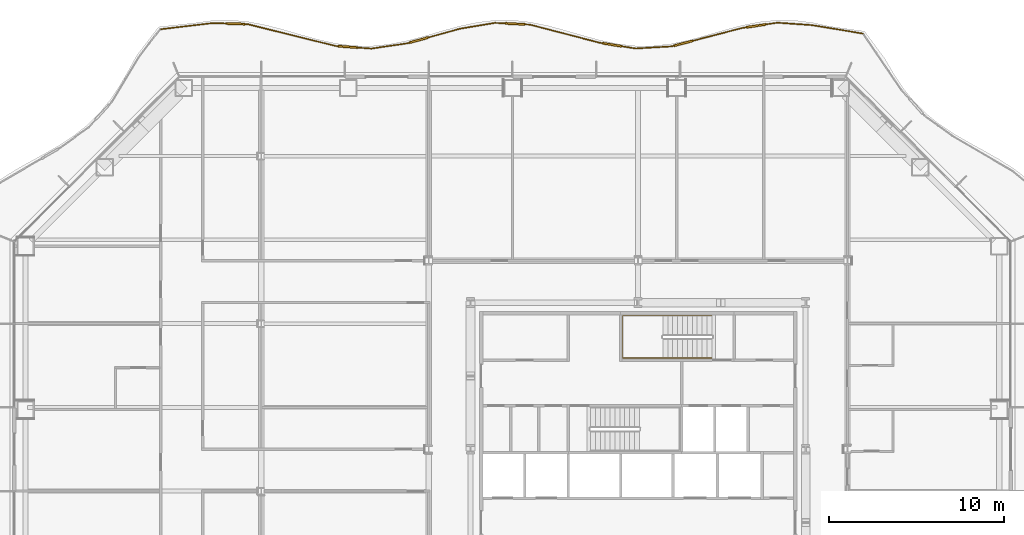
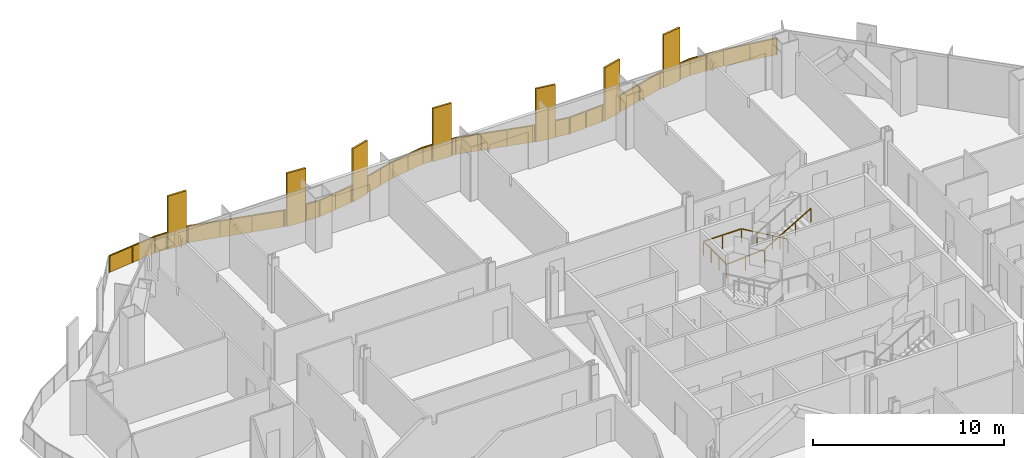
# One storey, part 20 of 21: 2 railings.
"""IFC4 building model written with IfcOpenShell, lengths in metres."""

from ifc_helpers import new_model, si_unit, direction, frame, origin, origin_2d, place, context, subcontext, project, spatial, polyline, rectangle, outline, extrude, material, type_object, element, save


model = new_model("IFC4")

# Units and contexts
model_context = context("Model", 3, precision=1e-05, world=origin(), true_north=direction((0.0, 1.0)))
body_context = subcontext(model_context, "Body", "Model", "MODEL_VIEW")
ifc_project = project(units=[si_unit("LENGTHUNIT", "METRE"), si_unit("AREAUNIT", "SQUARE_METRE"), si_unit("VOLUMEUNIT", "CUBIC_METRE"), si_unit("PLANEANGLEUNIT", "RADIAN"), si_unit("MASSUNIT", "GRAM", prefix="KILO")], contexts=[model_context])

# Site, building, storey
site_placement = place(None, origin())
site = spatial("IfcSite", under=ifc_project, at=site_placement, CompositionType="ELEMENT")
building_placement = place(site_placement, origin())
building = spatial("IfcBuilding", under=site, at=building_placement, Name="Cairn Pilgrim Tower", CompositionType="ELEMENT")
storey_placement = place(building_placement, frame((0.0, 0.0, 47.39990234375)))
storey = spatial("IfcBuildingStorey", under=building, at=storey_placement, Name="L09", CompositionType="ELEMENT", Elevation=47.39990234375)

# Railings
ifc_material_1 = material(Name="Bronze anodised aluminium rail, posts and fin screens with laminated glass infill", Category="aluminium")
railing_type_1 = type_object("IfcRailingType", Name="BALCONY GUARD WITH FIN SCREENS", PredefinedType="GUARDRAIL", material=ifc_material_1)
railing_1_placement = place(storey_placement, frame((20.0869140625, 26.216064453125, 0.0)))
element("IfcRailing", 1, at=railing_1_placement, inside=storey, type_object=railing_type_1, Name="Balcony guard BGF-5 with fin screens", PredefinedType="GUARDRAIL", context=body_context, shape_type="SweptSolid", body=[
    extrude(rectangle(XDim=0.050048828125, YDim=0.050048828125, at=origin_2d()), frame((0.0, 0.0, 1.0751953125), z_axis=(-0.98642283129, 0.164225448421, 0.0), x_axis=(-0.164225448421, -0.98642283129, 0.0)), (0.0, 0.0, 1.0), 2.9658203125),
    extrude(rectangle(XDim=0.050048828125, YDim=0.050048828125, at=origin_2d()), frame((-2.925537109375, 0.487060546875, 1.0751953125), z_axis=(-0.997648764917, 0.068534238587, 0.0), x_axis=(-0.068534238587, -0.997648764917, 0.0)), (0.0, 0.0, 1.0), 2.001953125),
    extrude(rectangle(XDim=1.10009765625, YDim=0.110107421875, at=origin_2d()), frame((-6.12451171875, 0.443359375, 0.0), z_axis=(0.0, 0.0, 1.0), x_axis=(-0.988865302966, -0.14881334816, 0.0)), (0.0, 0.0, 1.0), 3.39990234375),
    extrude(rectangle(XDim=0.050048828125, YDim=0.050048828125, at=origin_2d()), frame((-4.9228515625, 0.624267578125, 1.0751953125), z_axis=(-0.988865302966, -0.14881334816, 0.0), x_axis=(0.14881334816, -0.988865302966, 0.0)), (0.0, 0.0, 1.0), 0.665283203125),
    extrude(rectangle(XDim=0.050048828125, YDim=0.050048828125, at=origin_2d()), frame((-6.66845703125, 0.361572265625, 1.0751953125), z_axis=(-0.988865302966, -0.14881334816, 0.0), x_axis=(0.14881334816, -0.988865302966, 0.0)), (0.0, 0.0, 1.0), 0.25439453125),
    extrude(rectangle(XDim=1.10009765625, YDim=0.110107421875, at=origin_2d()), frame((-10.291259765625, -0.55517578125, 0.0), z_axis=(0.0, 0.0, 1.0), x_axis=(-0.967660015945, -0.252257990046, 0.0)), (0.0, 0.0, 1.0), 3.39990234375),
    extrude(rectangle(XDim=0.050048828125, YDim=0.050048828125, at=origin_2d()), frame((-6.919921875, 0.32373046875, 1.0751953125), z_axis=(-0.967660015945, -0.252257990046, 0.0), x_axis=(0.252257990046, -0.967660015945, 0.0)), (0.0, 0.0, 1.0), 2.93408203125),
    extrude(rectangle(XDim=0.050048828125, YDim=0.050048828125, at=origin_2d()), frame((-10.823486328125, -0.69384765625, 1.0751953125), z_axis=(-0.967660015945, -0.252257990046, 0.0), x_axis=(0.252257990046, -0.967660015945, 0.0)), (0.0, 0.0, 1.0), 0.14990234375),
    extrude(rectangle(XDim=0.050048828125, YDim=0.050048828125, at=origin_2d()), frame((-10.968505859375, -0.731689453125, 1.0751953125), z_axis=(-0.998242281057, -0.059265068203, 0.0), x_axis=(0.059265068203, -0.998242281057, 0.0)), (0.0, 0.0, 1.0), 2.0556640625),
    extrude(rectangle(XDim=1.10009765625, YDim=0.110107421875, at=origin_2d()), frame((-14.37353515625, -0.63916015625, 0.0), z_axis=(0.0, 0.0, 1.0), x_axis=(-0.987694013112, 0.156398645974, 0.0)), (0.0, 0.0, 1.0), 3.39990234375),
    extrude(rectangle(XDim=0.050048828125, YDim=0.050048828125, at=origin_2d()), frame((-13.0205078125, -0.853515625, 1.0751953125), z_axis=(-0.987694013112, 0.156398645974, 0.0), x_axis=(-0.156398645974, -0.987694013112, 0.0)), (0.0, 0.0, 1.0), 0.81982421875),
    extrude(rectangle(XDim=0.050048828125, YDim=0.050048828125, at=origin_2d()), frame((-14.916748046875, -0.55322265625, 1.0751953125), z_axis=(-0.987694013112, 0.156398645974, 0.0), x_axis=(-0.156398645974, -0.987694013112, 0.0)), (0.0, 0.0, 1.0), 0.14990234375),
    extrude(rectangle(XDim=0.050048828125, YDim=0.050048828125, at=origin_2d()), frame((-15.06494140625, -0.52978515625, 1.0751953125), z_axis=(-0.968039579587, 0.25079747278, 0.0), x_axis=(-0.25079747278, -0.968039579587, 0.0)), (0.0, 0.0, 1.0), 4.16748046875),
    extrude(rectangle(XDim=1.10009765625, YDim=0.110107421875, at=origin_2d()), frame((-19.935546875, 0.557373046875, 0.0), z_axis=(0.0, 0.0, 1.0), x_axis=(-0.998749281, 0.049998737012, 0.0)), (0.0, 0.0, 1.0), 3.39990234375),
    extrude(rectangle(XDim=0.050048828125, YDim=0.050048828125, at=origin_2d()), frame((-19.09912109375, 0.515380859375, 1.0751953125), z_axis=(-0.998749281, 0.049998737012, 0.0), x_axis=(-0.049998737012, -0.998749281, 0.0)), (0.0, 0.0, 1.0), 0.287353515625),
    extrude(rectangle(XDim=0.050048828125, YDim=0.050048828125, at=origin_2d()), frame((-20.48486328125, 0.584716796875, 1.0751953125), z_axis=(-0.998749281, 0.049998737012, 0.0), x_axis=(-0.049998737012, -0.998749281, 0.0)), (0.0, 0.0, 1.0), 0.604736328125),
    extrude(rectangle(XDim=0.050048828125, YDim=0.050048828125, at=origin_2d()), frame((-21.0888671875, 0.614990234375, 1.0751953125), z_axis=(-0.986462275473, -0.163988350403, 0.0), x_axis=(0.163988350403, -0.986462275473, 0.0)), (0.0, 0.0, 1.0), 2.024658203125),
    extrude(rectangle(XDim=1.10009765625, YDim=0.110107421875, at=origin_2d()), frame((-25.444580078125, -0.370849609375, 0.0), z_axis=(0.0, 0.0, 1.0), x_axis=(-0.963648939615, -0.267171707296, 0.0)), (0.0, 0.0, 1.0), 3.39990234375),
    extrude(rectangle(XDim=0.050048828125, YDim=0.050048828125, at=origin_2d()), frame((-23.086181640625, 0.282958984375, 1.0751953125), z_axis=(-0.963648939615, -0.267171707296, 0.0), x_axis=(0.267171707296, -0.963648939615, 0.0)), (0.0, 0.0, 1.0), 1.897216796875),
    extrude(rectangle(XDim=0.050048828125, YDim=0.050048828125, at=origin_2d()), frame((-25.974609375, -0.517822265625, 1.0751953125), z_axis=(-0.963648939615, -0.267171707296, 0.0), x_axis=(0.267171707296, -0.963648939615, 0.0)), (0.0, 0.0, 1.0), 0.14990234375),
    extrude(rectangle(XDim=0.050048828125, YDim=0.050048828125, at=origin_2d()), frame((-26.118896484375, -0.557861328125, 1.0751953125), z_axis=(-0.989321629468, -0.145748802624, 0.0), x_axis=(0.145748802624, -0.989321629468, 0.0)), (0.0, 0.0, 1.0), 2.068603515625),
    extrude(rectangle(XDim=1.10009765625, YDim=0.110107421875, at=origin_2d()), frame((-29.517578125, -0.76171875, 0.0), z_axis=(0.0, 0.0, 1.0), x_axis=(-0.997398055354, 0.072091047821, 0.0)), (0.0, 0.0, 1.0), 3.39990234375),
    extrude(rectangle(XDim=0.050048828125, YDim=0.050048828125, at=origin_2d()), frame((-28.16552734375, -0.859375, 1.0751953125), z_axis=(-0.997398055354, 0.072091047821, 0.0), x_axis=(-0.072091047821, -0.997398055354, 0.0)), (0.0, 0.0, 1.0), 0.8056640625),
    extrude(rectangle(XDim=0.050048828125, YDim=0.050048828125, at=origin_2d()), frame((-30.066162109375, -0.721923828125, 1.0751953125), z_axis=(-0.997398055354, 0.072091047821, 0.0), x_axis=(-0.072091047821, -0.997398055354, 0.0)), (0.0, 0.0, 1.0), 0.14990234375),
    extrude(rectangle(XDim=0.050048828125, YDim=0.050048828125, at=origin_2d()), frame((-30.2158203125, -0.711181640625, 1.0751953125), z_axis=(-0.970623663936, 0.240602790939, 0.0), x_axis=(-0.240602790939, -0.970623663936, 0.0)), (0.0, 0.0, 1.0), 5.202392578125),
    extrude(rectangle(XDim=1.10009765625, YDim=0.110107421875, at=origin_2d()), frame((-35.965087890625, 0.562255859375, 0.0), z_axis=(0.0, 0.0, 1.0), x_axis=(-0.999512911525, 0.031208006911, 0.0)), (0.0, 0.0, 1.0), 3.39990234375),
    extrude(rectangle(XDim=0.050048828125, YDim=0.050048828125, at=origin_2d()), frame((-35.265380859375, 0.54052734375, 1.0751953125), z_axis=(-0.999512911525, 0.031208006911, 0.0), x_axis=(-0.031208006911, -0.999512911525, 0.0)), (0.0, 0.0, 1.0), 0.14990234375),
    extrude(rectangle(XDim=0.050048828125, YDim=0.050048828125, at=origin_2d()), frame((-36.514892578125, 0.57958984375, 1.0751953125), z_axis=(-0.999512911525, 0.031208006911, 0.0), x_axis=(-0.031208006911, -0.999512911525, 0.0)), (0.0, 0.0, 1.0), 0.744873046875),
    extrude(rectangle(XDim=0.050048828125, YDim=0.050048828125, at=origin_2d()), frame((-37.25927734375, 0.602783203125, 1.0751953125), z_axis=(-0.99308459571, -0.117400961508, 0.0), x_axis=(0.117400961508, -0.99308459571, 0.0)), (0.0, 0.0, 1.0), 2.986328125),
    extrude(rectangle(XDim=0.050048828125, YDim=0.050048828125, at=origin_2d()), origin(), (0.0, 0.0, 1.0), 1.050048828125),
    extrude(rectangle(XDim=0.050048828125, YDim=0.050048828125, at=origin_2d()), frame((-1.462890625, 0.24365234375, 0.0)), (0.0, 0.0, 1.0), 1.050048828125),
    extrude(rectangle(XDim=0.050048828125, YDim=0.050048828125, at=origin_2d()), frame((-2.925537109375, 0.487060546875, 0.0)), (0.0, 0.0, 1.0), 1.050048828125),
    extrude(rectangle(XDim=0.050048828125, YDim=0.050048828125, at=origin_2d()), frame((-3.92431640625, 0.5556640625, 0.0)), (0.0, 0.0, 1.0), 1.050048828125),
    extrude(rectangle(XDim=0.050048828125, YDim=0.050048828125, at=origin_2d()), frame((-4.9228515625, 0.624267578125, 0.0)), (0.0, 0.0, 1.0), 1.050048828125),
    extrude(rectangle(XDim=0.050048828125, YDim=0.050048828125, at=origin_2d()), frame((-5.555908203125, 0.529052734375, 0.0)), (0.0, 0.0, 1.0), 1.050048828125),
    extrude(rectangle(XDim=0.050048828125, YDim=0.050048828125, at=origin_2d()), frame((-6.693115234375, 0.35791015625, 0.0)), (0.0, 0.0, 1.0), 1.050048828125),
    extrude(rectangle(XDim=0.050048828125, YDim=0.050048828125, at=origin_2d()), frame((-6.919921875, 0.32373046875, 0.0)), (0.0, 0.0, 1.0), 1.050048828125),
    extrude(rectangle(XDim=0.050048828125, YDim=0.050048828125, at=origin_2d()), frame((-8.327392578125, -0.043212890625, 0.0)), (0.0, 0.0, 1.0), 1.050048828125),
    extrude(rectangle(XDim=0.050048828125, YDim=0.050048828125, at=origin_2d()), frame((-9.73486328125, -0.41015625, 0.0)), (0.0, 0.0, 1.0), 1.050048828125),
    extrude(rectangle(XDim=0.050048828125, YDim=0.050048828125, at=origin_2d()), frame((-10.84765625, -0.7001953125, 0.0)), (0.0, 0.0, 1.0), 1.050048828125),
    extrude(rectangle(XDim=0.050048828125, YDim=0.050048828125, at=origin_2d()), frame((-10.968505859375, -0.731689453125, 0.0)), (0.0, 0.0, 1.0), 1.050048828125),
    extrude(rectangle(XDim=0.050048828125, YDim=0.050048828125, at=origin_2d()), frame((-11.99462890625, -0.79248046875, 0.0)), (0.0, 0.0, 1.0), 1.050048828125),
    extrude(rectangle(XDim=0.050048828125, YDim=0.050048828125, at=origin_2d()), frame((-13.0205078125, -0.853515625, 0.0)), (0.0, 0.0, 1.0), 1.050048828125),
    extrude(rectangle(XDim=0.050048828125, YDim=0.050048828125, at=origin_2d()), frame((-13.8056640625, -0.729248046875, 0.0)), (0.0, 0.0, 1.0), 1.050048828125),
    extrude(rectangle(XDim=0.050048828125, YDim=0.050048828125, at=origin_2d()), frame((-14.94140625, -0.54931640625, 0.0)), (0.0, 0.0, 1.0), 1.050048828125),
    extrude(rectangle(XDim=0.050048828125, YDim=0.050048828125, at=origin_2d()), frame((-15.06494140625, -0.52978515625, 0.0)), (0.0, 0.0, 1.0), 1.050048828125),
    extrude(rectangle(XDim=0.050048828125, YDim=0.050048828125, at=origin_2d()), frame((-16.40966796875, -0.181396484375, 0.0)), (0.0, 0.0, 1.0), 1.050048828125),
    extrude(rectangle(XDim=0.050048828125, YDim=0.050048828125, at=origin_2d()), frame((-17.75439453125, 0.1669921875, 0.0)), (0.0, 0.0, 1.0), 1.050048828125),
    extrude(rectangle(XDim=0.050048828125, YDim=0.050048828125, at=origin_2d()), frame((-19.09912109375, 0.515380859375, 0.0)), (0.0, 0.0, 1.0), 1.050048828125),
    extrude(rectangle(XDim=0.050048828125, YDim=0.050048828125, at=origin_2d()), frame((-19.361083984375, 0.528564453125, 0.0)), (0.0, 0.0, 1.0), 1.050048828125),
    extrude(rectangle(XDim=0.050048828125, YDim=0.050048828125, at=origin_2d()), frame((-20.509765625, 0.5859375, 0.0)), (0.0, 0.0, 1.0), 1.050048828125),
    extrude(rectangle(XDim=0.050048828125, YDim=0.050048828125, at=origin_2d()), frame((-21.0888671875, 0.614990234375, 0.0)), (0.0, 0.0, 1.0), 1.050048828125),
    extrude(rectangle(XDim=0.050048828125, YDim=0.050048828125, at=origin_2d()), frame((-22.08740234375, 0.448974609375, 0.0)), (0.0, 0.0, 1.0), 1.050048828125),
    extrude(rectangle(XDim=0.050048828125, YDim=0.050048828125, at=origin_2d()), frame((-23.086181640625, 0.282958984375, 0.0)), (0.0, 0.0, 1.0), 1.050048828125),
    extrude(rectangle(XDim=0.050048828125, YDim=0.050048828125, at=origin_2d()), frame((-23.98828125, 0.032958984375, 0.0)), (0.0, 0.0, 1.0), 1.050048828125),
    extrude(rectangle(XDim=0.050048828125, YDim=0.050048828125, at=origin_2d()), frame((-24.890380859375, -0.21728515625, 0.0)), (0.0, 0.0, 1.0), 1.050048828125),
    extrude(rectangle(XDim=0.050048828125, YDim=0.050048828125, at=origin_2d()), frame((-25.99853515625, -0.5244140625, 0.0)), (0.0, 0.0, 1.0), 1.050048828125),
    extrude(rectangle(XDim=0.050048828125, YDim=0.050048828125, at=origin_2d()), frame((-26.118896484375, -0.557861328125, 0.0)), (0.0, 0.0, 1.0), 1.050048828125),
    extrude(rectangle(XDim=0.050048828125, YDim=0.050048828125, at=origin_2d()), frame((-27.14208984375, -0.70849609375, 0.0)), (0.0, 0.0, 1.0), 1.050048828125),
    extrude(rectangle(XDim=0.050048828125, YDim=0.050048828125, at=origin_2d()), frame((-28.16552734375, -0.859375, 0.0)), (0.0, 0.0, 1.0), 1.050048828125),
    extrude(rectangle(XDim=0.050048828125, YDim=0.050048828125, at=origin_2d()), frame((-28.944091796875, -0.802978515625, 0.0)), (0.0, 0.0, 1.0), 1.050048828125),
    extrude(rectangle(XDim=0.050048828125, YDim=0.050048828125, at=origin_2d()), frame((-30.091064453125, -0.72021484375, 0.0)), (0.0, 0.0, 1.0), 1.050048828125),
    extrude(rectangle(XDim=0.050048828125, YDim=0.050048828125, at=origin_2d()), frame((-30.2158203125, -0.711181640625, 0.0)), (0.0, 0.0, 1.0), 1.050048828125),
    extrude(rectangle(XDim=0.050048828125, YDim=0.050048828125, at=origin_2d()), frame((-31.89892578125, -0.2939453125, 0.0)), (0.0, 0.0, 1.0), 1.050048828125),
    extrude(rectangle(XDim=0.050048828125, YDim=0.050048828125, at=origin_2d()), frame((-33.582275390625, 0.123291015625, 0.0)), (0.0, 0.0, 1.0), 1.050048828125),
    extrude(rectangle(XDim=0.050048828125, YDim=0.050048828125, at=origin_2d()), frame((-35.265380859375, 0.54052734375, 0.0)), (0.0, 0.0, 1.0), 1.050048828125),
    extrude(rectangle(XDim=0.050048828125, YDim=0.050048828125, at=origin_2d()), frame((-35.390380859375, 0.54443359375, 0.0)), (0.0, 0.0, 1.0), 1.050048828125),
    extrude(rectangle(XDim=0.050048828125, YDim=0.050048828125, at=origin_2d()), frame((-36.539794921875, 0.580322265625, 0.0)), (0.0, 0.0, 1.0), 1.050048828125),
    extrude(rectangle(XDim=0.050048828125, YDim=0.050048828125, at=origin_2d()), frame((-37.25927734375, 0.602783203125, 0.0)), (0.0, 0.0, 1.0), 1.050048828125),
    extrude(rectangle(XDim=0.050048828125, YDim=0.050048828125, at=origin_2d()), frame((-38.7421875, 0.427490234375, 0.0)), (0.0, 0.0, 1.0), 1.050048828125),
    extrude(rectangle(XDim=0.050048828125, YDim=0.050048828125, at=origin_2d()), frame((-40.224853515625, 0.252197265625, 0.0)), (0.0, 0.0, 1.0), 1.050048828125),
    extrude(outline(polyline([(0.02490234375, 0.0), (1.457763671875, 0.0), (1.457763671875, 1.050048828125), (0.02490234375, 1.050048828125), (0.02490234375, 0.0)])), frame((-0.0009765625, -0.005859375, 0.0), z_axis=(0.164225448421, 0.98642283129, 0.0), x_axis=(-0.98642283129, 0.164225448421, 0.0)), (0.0, 0.0, 1.0), 0.011962890625),
    extrude(outline(polyline([(0.02490234375, 0.0), (1.457763671875, 0.0), (1.457763671875, 1.050048828125), (0.02490234375, 1.050048828125), (0.02490234375, 0.0)])), frame((-1.4638671875, 0.237548828125, 0.0), z_axis=(0.164225448421, 0.98642283129, 0.0), x_axis=(-0.98642283129, 0.164225448421, 0.0)), (0.0, 0.0, 1.0), 0.011962890625),
    extrude(outline(polyline([(0.02490234375, 0.0), (0.97607421875, 0.0), (0.97607421875, 1.050048828125), (0.02490234375, 1.050048828125), (0.02490234375, 0.0)])), frame((-2.926025390625, 0.481201171875, 0.0), z_axis=(0.068534238587, 0.997648764917, 0.0), x_axis=(-0.997648764917, 0.068534238587, 0.0)), (0.0, 0.0, 1.0), 0.011962890625),
    extrude(outline(polyline([(0.02490234375, 0.0), (0.97607421875, 0.0), (0.97607421875, 1.050048828125), (0.02490234375, 1.050048828125), (0.02490234375, 0.0)])), frame((-3.924560546875, 0.5498046875, 0.0), z_axis=(0.068534238587, 0.997648764917, 0.0), x_axis=(-0.997648764917, 0.068534238587, 0.0)), (0.0, 0.0, 1.0), 0.011962890625),
    extrude(outline(polyline([(0.02490234375, 0.0), (0.615234375, 0.0), (0.615234375, 1.050048828125), (0.02490234375, 1.050048828125), (0.02490234375, 0.0)])), frame((-4.921875, 0.618408203125, 0.0), z_axis=(-0.14881334816, 0.988865302966, 0.0), x_axis=(-0.988865302966, -0.14881334816, 0.0)), (0.0, 0.0, 1.0), 0.011962890625),
    extrude(outline(polyline([(0.02490234375, 0.0), (0.204345703125, 0.0), (0.204345703125, 1.050048828125), (0.02490234375, 1.050048828125), (0.02490234375, 0.0)])), frame((-6.6923828125, 0.35205078125, 0.0), z_axis=(-0.14881334816, 0.988865302966, 0.0), x_axis=(-0.988865302966, -0.14881334816, 0.0)), (0.0, 0.0, 1.0), 0.011962890625),
    extrude(outline(polyline([(0.02490234375, 0.0), (1.429443359375, 0.0), (1.429443359375, 1.050048828125), (0.02490234375, 1.050048828125), (0.02490234375, 0.0)])), frame((-6.91845703125, 0.31787109375, 0.0), z_axis=(-0.252257990046, 0.967660015945, 0.0), x_axis=(-0.967660015945, -0.252257990046, 0.0)), (0.0, 0.0, 1.0), 0.011962890625),
    extrude(outline(polyline([(0.02490234375, 0.0), (1.429443359375, 0.0), (1.429443359375, 1.050048828125), (0.02490234375, 1.050048828125), (0.02490234375, 0.0)])), frame((-8.325927734375, -0.049072265625, 0.0), z_axis=(-0.252257990046, 0.967660015945, 0.0), x_axis=(-0.967660015945, -0.252257990046, 0.0)), (0.0, 0.0, 1.0), 0.011962890625),
    extrude(outline(polyline([(0.02490234375, 0.0), (0.099853515625, 0.0), (0.099853515625, 1.050048828125), (0.02490234375, 1.050048828125), (0.02490234375, 0.0)])), frame((-10.84619140625, -0.7060546875, 0.0), z_axis=(-0.252257990046, 0.967660015945, 0.0), x_axis=(-0.967660015945, -0.252257990046, 0.0)), (0.0, 0.0, 1.0), 0.011962890625),
    extrude(outline(polyline([(0.02490234375, 0.0), (1.002685546875, 0.0), (1.002685546875, 1.050048828125), (0.02490234375, 1.050048828125), (0.02490234375, 0.0)])), frame((-10.96826171875, -0.737548828125, 0.0), z_axis=(-0.059265068203, 0.998242281057, 0.0), x_axis=(-0.998242281057, -0.059265068203, 0.0)), (0.0, 0.0, 1.0), 0.011962890625),
    extrude(outline(polyline([(0.02490234375, 0.0), (1.002685546875, 0.0), (1.002685546875, 1.050048828125), (0.02490234375, 1.050048828125), (0.02490234375, 0.0)])), frame((-11.994140625, -0.798583984375, 0.0), z_axis=(-0.059265068203, 0.998242281057, 0.0), x_axis=(-0.998242281057, -0.059265068203, 0.0)), (0.0, 0.0, 1.0), 0.011962890625),
    extrude(outline(polyline([(0.02490234375, 0.0), (0.769775390625, 0.0), (0.769775390625, 1.050048828125), (0.02490234375, 1.050048828125), (0.02490234375, 0.0)])), frame((-13.021484375, -0.859375, 0.0), z_axis=(0.156398645974, 0.987694013112, 0.0), x_axis=(-0.987694013112, 0.156398645974, 0.0)), (0.0, 0.0, 1.0), 0.011962890625),
    extrude(outline(polyline([(0.02490234375, 0.0), (0.099853515625, 0.0), (0.099853515625, 1.050048828125), (0.02490234375, 1.050048828125), (0.02490234375, 0.0)])), frame((-14.9423828125, -0.55517578125, 0.0), z_axis=(0.156398645974, 0.987694013112, 0.0), x_axis=(-0.987694013112, 0.156398645974, 0.0)), (0.0, 0.0, 1.0), 0.011962890625),
    extrude(outline(polyline([(0.02490234375, 0.0), (1.364013671875, 0.0), (1.364013671875, 1.050048828125), (0.02490234375, 1.050048828125), (0.02490234375, 0.0)])), frame((-15.06640625, -0.53564453125, 0.0), z_axis=(0.25079747278, 0.968039579587, 0.0), x_axis=(-0.968039579587, 0.25079747278, 0.0)), (0.0, 0.0, 1.0), 0.011962890625),
    extrude(outline(polyline([(0.02490234375, 0.0), (1.364013671875, 0.0), (1.364013671875, 1.050048828125), (0.02490234375, 1.050048828125), (0.02490234375, 0.0)])), frame((-16.4111328125, -0.187255859375, 0.0), z_axis=(0.25079747278, 0.968039579587, 0.0), x_axis=(-0.968039579587, 0.25079747278, 0.0)), (0.0, 0.0, 1.0), 0.011962890625),
    extrude(outline(polyline([(0.02490234375, 0.0), (1.364013671875, 0.0), (1.364013671875, 1.050048828125), (0.02490234375, 1.050048828125), (0.02490234375, 0.0)])), frame((-17.755859375, 0.1611328125, 0.0), z_axis=(0.25079747278, 0.968039579587, 0.0), x_axis=(-0.968039579587, 0.25079747278, 0.0)), (0.0, 0.0, 1.0), 0.011962890625),
    extrude(outline(polyline([(0.02490234375, 0.0), (0.2373046875, 0.0), (0.2373046875, 1.050048828125), (0.02490234375, 1.050048828125), (0.02490234375, 0.0)])), frame((-19.099365234375, 0.509521484375, 0.0), z_axis=(0.049998737012, 0.998749281, 0.0), x_axis=(-0.998749281, 0.049998737012, 0.0)), (0.0, 0.0, 1.0), 0.011962890625),
    extrude(outline(polyline([(0.02490234375, 0.0), (0.5546875, 0.0), (0.5546875, 1.050048828125), (0.02490234375, 1.050048828125), (0.02490234375, 0.0)])), frame((-20.510009765625, 0.580078125, 0.0), z_axis=(0.049998737012, 0.998749281, 0.0), x_axis=(-0.998749281, 0.049998737012, 0.0)), (0.0, 0.0, 1.0), 0.011962890625),
    extrude(outline(polyline([(0.02490234375, 0.0), (0.9873046875, 0.0), (0.9873046875, 1.050048828125), (0.02490234375, 1.050048828125), (0.02490234375, 0.0)])), frame((-21.087890625, 0.609130859375, 0.0), z_axis=(-0.163988350403, 0.986462275473, 0.0), x_axis=(-0.986462275473, -0.163988350403, 0.0)), (0.0, 0.0, 1.0), 0.011962890625),
    extrude(outline(polyline([(0.02490234375, 0.0), (0.9873046875, 0.0), (0.9873046875, 1.050048828125), (0.02490234375, 1.050048828125), (0.02490234375, 0.0)])), frame((-22.08642578125, 0.443115234375, 0.0), z_axis=(-0.163988350403, 0.986462275473, 0.0), x_axis=(-0.986462275473, -0.163988350403, 0.0)), (0.0, 0.0, 1.0), 0.011962890625),
    extrude(outline(polyline([(0.02490234375, 0.0), (0.9111328125, 0.0), (0.9111328125, 1.050048828125), (0.02490234375, 1.050048828125), (0.02490234375, 0.0)])), frame((-23.08447265625, 0.277099609375, 0.0), z_axis=(-0.267171707296, 0.963648939615, 0.0), x_axis=(-0.963648939615, -0.267171707296, 0.0)), (0.0, 0.0, 1.0), 0.011962890625),
    extrude(outline(polyline([(0.02490234375, 0.0), (0.9111328125, 0.0), (0.9111328125, 1.050048828125), (0.02490234375, 1.050048828125), (0.02490234375, 0.0)])), frame((-23.986572265625, 0.027099609375, 0.0), z_axis=(-0.267171707296, 0.963648939615, 0.0), x_axis=(-0.963648939615, -0.267171707296, 0.0)), (0.0, 0.0, 1.0), 0.011962890625),
    extrude(outline(polyline([(0.02490234375, 0.0), (0.099853515625, 0.0), (0.099853515625, 1.050048828125), (0.02490234375, 1.050048828125), (0.02490234375, 0.0)])), frame((-25.9970703125, -0.5302734375, 0.0), z_axis=(-0.267171707296, 0.963648939615, 0.0), x_axis=(-0.963648939615, -0.267171707296, 0.0)), (0.0, 0.0, 1.0), 0.011962890625),
    extrude(outline(polyline([(0.02490234375, 0.0), (1.00927734375, 0.0), (1.00927734375, 1.050048828125), (0.02490234375, 1.050048828125), (0.02490234375, 0.0)])), frame((-26.117919921875, -0.563720703125, 0.0), z_axis=(-0.145748802624, 0.989321629468, 0.0), x_axis=(-0.989321629468, -0.145748802624, 0.0)), (0.0, 0.0, 1.0), 0.011962890625),
    extrude(outline(polyline([(0.02490234375, 0.0), (1.00927734375, 0.0), (1.00927734375, 1.050048828125), (0.02490234375, 1.050048828125), (0.02490234375, 0.0)])), frame((-27.141357421875, -0.714599609375, 0.0), z_axis=(-0.145748802624, 0.989321629468, 0.0), x_axis=(-0.989321629468, -0.145748802624, 0.0)), (0.0, 0.0, 1.0), 0.011962890625),
    extrude(outline(polyline([(0.02490234375, 0.0), (0.755615234375, 0.0), (0.755615234375, 1.050048828125), (0.02490234375, 1.050048828125), (0.02490234375, 0.0)])), frame((-28.166015625, -0.865234375, 0.0), z_axis=(0.072091047821, 0.997398055354, 0.0), x_axis=(-0.997398055354, 0.072091047821, 0.0)), (0.0, 0.0, 1.0), 0.011962890625),
    extrude(outline(polyline([(0.02490234375, 0.0), (0.099853515625, 0.0), (0.099853515625, 1.050048828125), (0.02490234375, 1.050048828125), (0.02490234375, 0.0)])), frame((-30.091552734375, -0.72607421875, 0.0), z_axis=(0.072091047821, 0.997398055354, 0.0), x_axis=(-0.997398055354, 0.072091047821, 0.0)), (0.0, 0.0, 1.0), 0.011962890625),
    extrude(outline(polyline([(0.02490234375, 0.0), (1.708984375, 0.0), (1.708984375, 1.050048828125), (0.02490234375, 1.050048828125), (0.02490234375, 0.0)])), frame((-30.21728515625, -0.717041015625, 0.0), z_axis=(0.240602790939, 0.970623663936, 0.0), x_axis=(-0.970623663936, 0.240602790939, 0.0)), (0.0, 0.0, 1.0), 0.011962890625),
    extrude(outline(polyline([(0.02490234375, 0.0), (1.708984375, 0.0), (1.708984375, 1.050048828125), (0.02490234375, 1.050048828125), (0.02490234375, 0.0)])), frame((-31.900390625, -0.2998046875, 0.0), z_axis=(0.240602790939, 0.970623663936, 0.0), x_axis=(-0.970623663936, 0.240602790939, 0.0)), (0.0, 0.0, 1.0), 0.011962890625),
    extrude(outline(polyline([(0.02490234375, 0.0), (1.708984375, 0.0), (1.708984375, 1.050048828125), (0.02490234375, 1.050048828125), (0.02490234375, 0.0)])), frame((-33.583740234375, 0.117431640625, 0.0), z_axis=(0.240602790939, 0.970623663936, 0.0), x_axis=(-0.970623663936, 0.240602790939, 0.0)), (0.0, 0.0, 1.0), 0.011962890625),
    extrude(outline(polyline([(0.02490234375, 0.0), (0.099853515625, 0.0), (0.099853515625, 1.050048828125), (0.02490234375, 1.050048828125), (0.02490234375, 0.0)])), frame((-35.265625, 0.53466796875, 0.0), z_axis=(0.031208006911, 0.999512911525, 0.0), x_axis=(-0.999512911525, 0.031208006911, 0.0)), (0.0, 0.0, 1.0), 0.011962890625),
    extrude(outline(polyline([(0.02490234375, 0.0), (0.69482421875, 0.0), (0.69482421875, 1.050048828125), (0.02490234375, 1.050048828125), (0.02490234375, 0.0)])), frame((-36.5400390625, 0.57421875, 0.0), z_axis=(0.031208006911, 0.999512911525, 0.0), x_axis=(-0.999512911525, 0.031208006911, 0.0)), (0.0, 0.0, 1.0), 0.011962890625),
    extrude(outline(polyline([(0.02490234375, 0.0), (1.468017578125, 0.0), (1.468017578125, 1.050048828125), (0.02490234375, 1.050048828125), (0.02490234375, 0.0)])), frame((-37.258544921875, 0.596923828125, 0.0), z_axis=(-0.117400961508, 0.99308459571, 0.0), x_axis=(-0.99308459571, -0.117400961508, 0.0)), (0.0, 0.0, 1.0), 0.011962890625),
    extrude(outline(polyline([(0.02490234375, 0.0), (1.468017578125, 0.0), (1.468017578125, 1.050048828125), (0.02490234375, 1.050048828125), (0.02490234375, 0.0)])), frame((-38.741455078125, 0.421630859375, 0.0), z_axis=(-0.117400961508, 0.99308459571, 0.0), x_axis=(-0.99308459571, -0.117400961508, 0.0)), (0.0, 0.0, 1.0), 0.011962890625),
])
ifc_material_2 = material(Name="Painted steel", Category="steel")
railing_type_2 = type_object("IfcRailingType", Name="STAIR HANDRAIL 900", PredefinedType="HANDRAIL", material=ifc_material_2)
railing_2_placement = place(storey_placement, frame((11.425048828125, 10.050048828125, 0.163818359375)))
element("IfcRailing", 2, at=railing_2_placement, inside=storey, type_object=railing_type_2, Name="L09 ST-C stair handrail 1", PredefinedType="HANDRAIL", context=body_context, shape_type="SweptSolid", body=[
    extrude(rectangle(XDim=0.048095703125, YDim=0.048095703125, at=origin_2d()), frame((0.0, 0.0, 0.8759765625), z_axis=(-0.863393664356, 0.0, 0.504530851732), x_axis=(0.0, -1.0, 0.0)), (0.0, 0.0, 1.0), 3.2431640625),
    extrude(rectangle(XDim=0.048095703125, YDim=0.048095703125, at=origin_2d()), frame((-2.800048828125, 0.0, 2.51220703125), z_axis=(-1.0, 0.0, 0.0), x_axis=(0.0, -1.0, 0.0)), (0.0, 0.0, 1.0), 2.300048828125),
    extrude(rectangle(XDim=0.048095703125, YDim=0.048095703125, at=origin_2d()), frame((-5.10009765625, 0.0, 2.51220703125), z_axis=(0.0, -1.0, 0.0), x_axis=(1.0, 0.0, 0.0)), (0.0, 0.0, 1.0), 2.425048828125),
    extrude(rectangle(XDim=0.048095703125, YDim=0.048095703125, at=origin_2d()), frame((-5.10009765625, -2.425048828125, 2.51220703125), z_axis=(0.997480687736, 0.0, 0.070938548008), x_axis=(0.0, 1.0, 0.0)), (0.0, 0.0, 1.0), 2.305908203125),
    extrude(rectangle(XDim=0.048095703125, YDim=0.048095703125, at=origin_2d()), frame((-2.800048828125, -2.425048828125, 2.67578125), z_axis=(0.863360870873, 0.0, 0.504586966384), x_axis=(0.0, 1.0, 0.0)), (0.0, 0.0, 1.0), 3.2431640625),
    extrude(rectangle(XDim=0.0419921875, YDim=0.0419921875, at=origin_2d()), origin(), (0.0, 0.0, 1.0), 0.851806640625),
    extrude(rectangle(XDim=0.0419921875, YDim=0.0419921875, at=origin_2d()), frame((-0.933349609375, 0.0, 0.54541015625)), (0.0, 0.0, 1.0), 0.851806640625),
    extrude(rectangle(XDim=0.0419921875, YDim=0.0419921875, at=origin_2d()), frame((-1.86669921875, 0.0, 1.0908203125)), (0.0, 0.0, 1.0), 0.851806640625),
    extrude(rectangle(XDim=0.0419921875, YDim=0.0419921875, at=origin_2d()), frame((-2.800048828125, 0.0, 1.63623046875)), (0.0, 0.0, 1.0), 0.851806640625),
    extrude(rectangle(XDim=0.0419921875, YDim=0.0419921875, at=origin_2d()), frame((-3.9501953125, 0.0, 1.63623046875)), (0.0, 0.0, 1.0), 0.851806640625),
    extrude(rectangle(XDim=0.0419921875, YDim=0.0419921875, at=origin_2d()), frame((-5.10009765625, 0.0, 1.63623046875)), (0.0, 0.0, 1.0), 0.851806640625),
    extrude(rectangle(XDim=0.0419921875, YDim=0.0419921875, at=origin_2d()), frame((-5.10009765625, -0.808349609375, 1.63623046875)), (0.0, 0.0, 1.0), 0.851806640625),
    extrude(rectangle(XDim=0.0419921875, YDim=0.0419921875, at=origin_2d()), frame((-5.10009765625, -1.61669921875, 1.63623046875)), (0.0, 0.0, 1.0), 0.851806640625),
    extrude(rectangle(XDim=0.0419921875, YDim=0.0419921875, at=origin_2d()), frame((-5.10009765625, -2.425048828125, 1.63623046875)), (0.0, 0.0, 1.0), 0.851806640625),
    extrude(rectangle(XDim=0.0419921875, YDim=0.0419921875, at=origin_2d()), frame((-3.9501953125, -2.425048828125, 1.718017578125)), (0.0, 0.0, 1.0), 0.851806640625),
    extrude(rectangle(XDim=0.0419921875, YDim=0.0419921875, at=origin_2d()), frame((-2.800048828125, -2.425048828125, 1.7998046875)), (0.0, 0.0, 1.0), 0.851806640625),
    extrude(rectangle(XDim=0.0419921875, YDim=0.0419921875, at=origin_2d()), frame((-1.86669921875, -2.425048828125, 2.34521484375)), (0.0, 0.0, 1.0), 0.851806640625),
    extrude(rectangle(XDim=0.0419921875, YDim=0.0419921875, at=origin_2d()), frame((-0.933349609375, -2.425048828125, 2.890869140625)), (0.0, 0.0, 1.0), 0.851806640625),
    extrude(rectangle(XDim=0.0419921875, YDim=0.0419921875, at=origin_2d()), frame((0.0, -2.425048828125, 3.436279296875)), (0.0, 0.0, 1.0), 0.851806640625),
])

save(model, "model.ifc")
